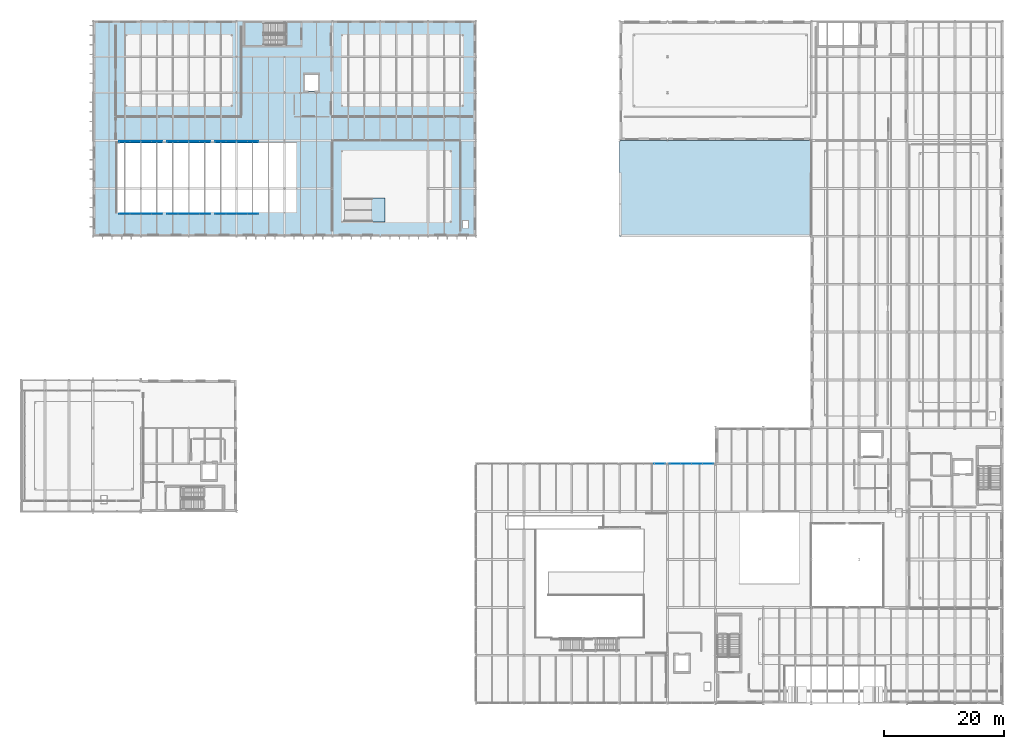
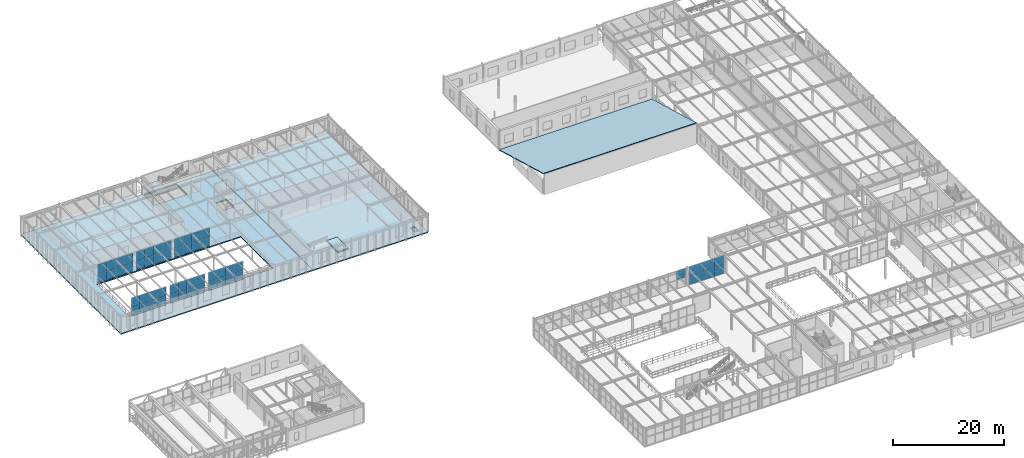
# One storey, part 71 of 124: 57 plates, 5 slabs, 11 elements without a shape of their own.
"""IFC4 building model written with IfcOpenShell, lengths in metres."""

from ifc_helpers import new_model, si_unit, direction, frame, origin, origin_2d, place, context, subcontext, project, spatial, polyline, rectangle, outline, extrude, material, layer, layer_set, type_object, element, aggregate, save


model = new_model("IFC4")

# Units and contexts
model_context = context("Model", 3, precision=1e-05, world=origin(), true_north=direction((0.0, 1.0)))
body_context = subcontext(model_context, "Body", "Model", "MODEL_VIEW")
ifc_project = project(units=[si_unit("LENGTHUNIT", "METRE"), si_unit("AREAUNIT", "SQUARE_METRE"), si_unit("VOLUMEUNIT", "CUBIC_METRE"), si_unit("PLANEANGLEUNIT", "RADIAN"), si_unit("MASSUNIT", "GRAM", prefix="KILO")], contexts=[model_context])

# Site, building, storey
site_placement = place(None, origin())
site = spatial("IfcSite", under=ifc_project, at=site_placement, CompositionType="ELEMENT")
building_placement = place(site_placement, origin())
building = spatial("IfcBuilding", under=site, at=building_placement, Name="Sundkrona Museum", CompositionType="ELEMENT")
storey_placement = place(building_placement, frame((0.0, 0.0, 17.60009765625)))
storey = spatial("IfcBuildingStorey", under=building, at=storey_placement, Name="L03", CompositionType="ELEMENT", Elevation=17.60009765625)

# Curtain wall, plate
ifc_material_1 = material(Name="Unitised Aluminium-Steel and Ceramic-Clad Curtain Walling", Category="steel")
curtain_wall_type_1 = type_object("IfcCurtainWallType", Name="CW-AT-72x38", PredefinedType="NOTDEFINED", material=ifc_material_1)
curtain_wall_1_placement = place(storey_placement, origin())
curtain_wall_1 = element("IfcCurtainWall", 1, at=curtain_wall_1_placement, inside=storey, type_object=curtain_wall_type_1, Name="L03 Curtain Wall CW-L03-073", PredefinedType="NOTDEFINED")
ifc_material_2 = material(Name="Triple Low-E Vision Glazing 32 mm", Category="glass")
ifc_layer_1 = layer(ifc_material_2, 0.031982421875)
ifc_layer_set_1 = layer_set([ifc_layer_1], Name="Triple Low-E Vision Glazing 32 mm")
plate_type = type_object("IfcPlateType", Name="PN-GL-01", PredefinedType="CURTAIN_PANEL", material=ifc_layer_set_1)
plate_1_placement = place(storey_placement, frame((110.699951171875, 40.0, 1.9697265625), z_axis=(0.0, 0.0, 1.0), x_axis=(1.0, 0.0, 0.0)))
plate_1 = element("IfcPlate", 2, at=plate_1_placement, type_object=plate_type, Name="CW-L03-073 Panel 08", PredefinedType="CURTAIN_PANEL", context=body_context, shape_type="SweptSolid", body=[
    extrude(rectangle(XDim=1.800048828125, YDim=0.031982421875, at=origin_2d()), origin(), (0.0, 0.0, 1.0), 1.97412109375),
])
aggregate(curtain_wall_1, [plate_1])

# Curtain wall, plates
curtain_wall_2_placement = place(storey_placement, origin())
curtain_wall_2 = element("IfcCurtainWall", 3, at=curtain_wall_2_placement, inside=storey, type_object=curtain_wall_type_1, Name="L03 Curtain Wall CW-L03-074", PredefinedType="NOTDEFINED")
plate_2_placement = place(storey_placement, frame((113.300048828125, 40.0, -0.004150390625), z_axis=(0.0, 0.0, 1.0), x_axis=(1.0, 0.0, 0.0)))
plate_2 = element("IfcPlate", 4, at=plate_2_placement, type_object=plate_type, Name="CW-L03-074 Panel 01", PredefinedType="CURTAIN_PANEL", context=body_context, shape_type="SweptSolid", body=[
    extrude(rectangle(XDim=1.800048828125, YDim=0.031982421875, at=origin_2d()), origin(), (0.0, 0.0, 1.0), 1.97412109375),
])
plate_3_placement = place(storey_placement, frame((113.300048828125, 40.0, 1.9697265625), z_axis=(0.0, 0.0, 1.0), x_axis=(1.0, 0.0, 0.0)))
plate_3 = element("IfcPlate", 5, at=plate_3_placement, type_object=plate_type, Name="CW-L03-074 Panel 02", PredefinedType="CURTAIN_PANEL", context=body_context, shape_type="SweptSolid", body=[
    extrude(rectangle(XDim=1.800048828125, YDim=0.031982421875, at=origin_2d()), origin(), (0.0, 0.0, 1.0), 1.97412109375),
])
plate_4_placement = place(storey_placement, frame((115.10009765625, 40.0, -0.004150390625), z_axis=(0.0, 0.0, 1.0), x_axis=(1.0, 0.0, 0.0)))
plate_4 = element("IfcPlate", 6, at=plate_4_placement, type_object=plate_type, Name="CW-L03-074 Panel 03", PredefinedType="CURTAIN_PANEL", context=body_context, shape_type="SweptSolid", body=[
    extrude(rectangle(XDim=1.800048828125, YDim=0.031982421875, at=origin_2d()), origin(), (0.0, 0.0, 1.0), 1.97412109375),
])
plate_5_placement = place(storey_placement, frame((115.10009765625, 40.0, 1.9697265625), z_axis=(0.0, 0.0, 1.0), x_axis=(1.0, 0.0, 0.0)))
plate_5 = element("IfcPlate", 7, at=plate_5_placement, type_object=plate_type, Name="CW-L03-074 Panel 04", PredefinedType="CURTAIN_PANEL", context=body_context, shape_type="SweptSolid", body=[
    extrude(rectangle(XDim=1.800048828125, YDim=0.031982421875, at=origin_2d()), origin(), (0.0, 0.0, 1.0), 1.97412109375),
])
plate_6_placement = place(storey_placement, frame((116.89990234375, 40.0, -0.004150390625), z_axis=(0.0, 0.0, 1.0), x_axis=(1.0, 0.0, 0.0)))
plate_6 = element("IfcPlate", 8, at=plate_6_placement, type_object=plate_type, Name="CW-L03-074 Panel 05", PredefinedType="CURTAIN_PANEL", context=body_context, shape_type="SweptSolid", body=[
    extrude(rectangle(XDim=1.800048828125, YDim=0.031982421875, at=origin_2d()), origin(), (0.0, 0.0, 1.0), 1.97412109375),
])
plate_7_placement = place(storey_placement, frame((116.89990234375, 40.0, 1.9697265625), z_axis=(0.0, 0.0, 1.0), x_axis=(1.0, 0.0, 0.0)))
plate_7 = element("IfcPlate", 9, at=plate_7_placement, type_object=plate_type, Name="CW-L03-074 Panel 06", PredefinedType="CURTAIN_PANEL", context=body_context, shape_type="SweptSolid", body=[
    extrude(rectangle(XDim=1.800048828125, YDim=0.031982421875, at=origin_2d()), origin(), (0.0, 0.0, 1.0), 1.97412109375),
])
plate_8_placement = place(storey_placement, frame((118.699951171875, 40.0, -0.004150390625), z_axis=(0.0, 0.0, 1.0), x_axis=(1.0, 0.0, 0.0)))
plate_8 = element("IfcPlate", 10, at=plate_8_placement, type_object=plate_type, Name="CW-L03-074 Panel 07", PredefinedType="CURTAIN_PANEL", context=body_context, shape_type="SweptSolid", body=[
    extrude(rectangle(XDim=1.800048828125, YDim=0.031982421875, at=origin_2d()), origin(), (0.0, 0.0, 1.0), 1.97412109375),
])
plate_9_placement = place(storey_placement, frame((118.699951171875, 40.0, 1.9697265625), z_axis=(0.0, 0.0, 1.0), x_axis=(1.0, 0.0, 0.0)))
plate_9 = element("IfcPlate", 11, at=plate_9_placement, type_object=plate_type, Name="CW-L03-074 Panel 08", PredefinedType="CURTAIN_PANEL", context=body_context, shape_type="SweptSolid", body=[
    extrude(rectangle(XDim=1.800048828125, YDim=0.031982421875, at=origin_2d()), origin(), (0.0, 0.0, 1.0), 1.97412109375),
])
aggregate(curtain_wall_2, [plate_2, plate_3, plate_4, plate_5, plate_6, plate_7, plate_8, plate_9])

curtain_wall_type_2 = type_object("IfcCurtainWallType", Name="CW-CL-64x38", PredefinedType="NOTDEFINED", material=ifc_material_1)
curtain_wall_3_placement = place(storey_placement, origin())
curtain_wall_3 = element("IfcCurtainWall", 12, at=curtain_wall_3_placement, inside=storey, type_object=curtain_wall_type_2, Name="L03 Curtain Wall CW-L03-136", PredefinedType="NOTDEFINED")
plate_10_placement = place(storey_placement, frame((21.300048828125, 81.75, -0.004150390625), z_axis=(0.0, 0.0, 1.0), x_axis=(1.0, 0.0, 0.0)))
plate_10 = element("IfcPlate", 13, at=plate_10_placement, type_object=plate_type, Name="CW-L03-136 Panel 01", PredefinedType="CURTAIN_PANEL", context=body_context, shape_type="SweptSolid", body=[
    extrude(rectangle(XDim=1.800048828125, YDim=0.031982421875, at=origin_2d()), origin(), (0.0, 0.0, 1.0), 1.98388671875),
])
plate_11_placement = place(storey_placement, frame((21.300048828125, 81.75, 1.97998046875), z_axis=(0.0, 0.0, 1.0), x_axis=(1.0, 0.0, 0.0)))
plate_11 = element("IfcPlate", 14, at=plate_11_placement, type_object=plate_type, Name="CW-L03-136 Panel 02", PredefinedType="CURTAIN_PANEL", context=body_context, shape_type="SweptSolid", body=[
    extrude(rectangle(XDim=1.800048828125, YDim=0.031982421875, at=origin_2d()), origin(), (0.0, 0.0, 1.0), 1.98388671875),
])
plate_12_placement = place(storey_placement, frame((23.10009765625, 81.75, -0.004150390625), z_axis=(0.0, 0.0, 1.0), x_axis=(1.0, 0.0, 0.0)))
plate_12 = element("IfcPlate", 15, at=plate_12_placement, type_object=plate_type, Name="CW-L03-136 Panel 03", PredefinedType="CURTAIN_PANEL", context=body_context, shape_type="SweptSolid", body=[
    extrude(rectangle(XDim=1.800048828125, YDim=0.031982421875, at=origin_2d()), origin(), (0.0, 0.0, 1.0), 1.98388671875),
])
plate_13_placement = place(storey_placement, frame((23.10009765625, 81.75, 1.97998046875), z_axis=(0.0, 0.0, 1.0), x_axis=(1.0, 0.0, 0.0)))
plate_13 = element("IfcPlate", 16, at=plate_13_placement, type_object=plate_type, Name="CW-L03-136 Panel 04", PredefinedType="CURTAIN_PANEL", context=body_context, shape_type="SweptSolid", body=[
    extrude(rectangle(XDim=1.800048828125, YDim=0.031982421875, at=origin_2d()), origin(), (0.0, 0.0, 1.0), 1.98388671875),
])
plate_14_placement = place(storey_placement, frame((24.89990234375, 81.75, -0.004150390625), z_axis=(0.0, 0.0, 1.0), x_axis=(1.0, 0.0, 0.0)))
plate_14 = element("IfcPlate", 17, at=plate_14_placement, type_object=plate_type, Name="CW-L03-136 Panel 05", PredefinedType="CURTAIN_PANEL", context=body_context, shape_type="SweptSolid", body=[
    extrude(rectangle(XDim=1.800048828125, YDim=0.031982421875, at=origin_2d()), origin(), (0.0, 0.0, 1.0), 1.98388671875),
])
plate_15_placement = place(storey_placement, frame((24.89990234375, 81.75, 1.97998046875), z_axis=(0.0, 0.0, 1.0), x_axis=(1.0, 0.0, 0.0)))
plate_15 = element("IfcPlate", 18, at=plate_15_placement, type_object=plate_type, Name="CW-L03-136 Panel 06", PredefinedType="CURTAIN_PANEL", context=body_context, shape_type="SweptSolid", body=[
    extrude(rectangle(XDim=1.800048828125, YDim=0.031982421875, at=origin_2d()), origin(), (0.0, 0.0, 1.0), 1.98388671875),
])
plate_16_placement = place(storey_placement, frame((26.699951171875, 81.75, -0.004150390625), z_axis=(0.0, 0.0, 1.0), x_axis=(1.0, 0.0, 0.0)))
plate_16 = element("IfcPlate", 19, at=plate_16_placement, type_object=plate_type, Name="CW-L03-136 Panel 07", PredefinedType="CURTAIN_PANEL", context=body_context, shape_type="SweptSolid", body=[
    extrude(rectangle(XDim=1.800048828125, YDim=0.031982421875, at=origin_2d()), origin(), (0.0, 0.0, 1.0), 1.98388671875),
])
plate_17_placement = place(storey_placement, frame((26.699951171875, 81.75, 1.97998046875), z_axis=(0.0, 0.0, 1.0), x_axis=(1.0, 0.0, 0.0)))
plate_17 = element("IfcPlate", 20, at=plate_17_placement, type_object=plate_type, Name="CW-L03-136 Panel 08", PredefinedType="CURTAIN_PANEL", context=body_context, shape_type="SweptSolid", body=[
    extrude(rectangle(XDim=1.800048828125, YDim=0.031982421875, at=origin_2d()), origin(), (0.0, 0.0, 1.0), 1.98388671875),
])
aggregate(curtain_wall_3, [plate_10, plate_11, plate_12, plate_13, plate_14, plate_15, plate_16, plate_17])

curtain_wall_4_placement = place(storey_placement, origin())
curtain_wall_4 = element("IfcCurtainWall", 21, at=curtain_wall_4_placement, inside=storey, type_object=curtain_wall_type_2, Name="L03 Curtain Wall CW-L03-137", PredefinedType="NOTDEFINED")
plate_18_placement = place(storey_placement, frame((21.300048828125, 93.85009765625, -0.004150390625), z_axis=(0.0, 0.0, 1.0), x_axis=(1.0, 0.0, 0.0)))
plate_18 = element("IfcPlate", 22, at=plate_18_placement, type_object=plate_type, Name="CW-L03-137 Panel 01", PredefinedType="CURTAIN_PANEL", context=body_context, shape_type="SweptSolid", body=[
    extrude(rectangle(XDim=1.800048828125, YDim=0.031982421875, at=origin_2d()), origin(), (0.0, 0.0, 1.0), 1.98388671875),
])
plate_19_placement = place(storey_placement, frame((21.300048828125, 93.85009765625, 1.97998046875), z_axis=(0.0, 0.0, 1.0), x_axis=(1.0, 0.0, 0.0)))
plate_19 = element("IfcPlate", 23, at=plate_19_placement, type_object=plate_type, Name="CW-L03-137 Panel 02", PredefinedType="CURTAIN_PANEL", context=body_context, shape_type="SweptSolid", body=[
    extrude(rectangle(XDim=1.800048828125, YDim=0.031982421875, at=origin_2d()), origin(), (0.0, 0.0, 1.0), 1.98388671875),
])
plate_20_placement = place(storey_placement, frame((23.10009765625, 93.85009765625, -0.004150390625), z_axis=(0.0, 0.0, 1.0), x_axis=(1.0, 0.0, 0.0)))
plate_20 = element("IfcPlate", 24, at=plate_20_placement, type_object=plate_type, Name="CW-L03-137 Panel 03", PredefinedType="CURTAIN_PANEL", context=body_context, shape_type="SweptSolid", body=[
    extrude(rectangle(XDim=1.800048828125, YDim=0.031982421875, at=origin_2d()), origin(), (0.0, 0.0, 1.0), 1.98388671875),
])
plate_21_placement = place(storey_placement, frame((23.10009765625, 93.85009765625, 1.97998046875), z_axis=(0.0, 0.0, 1.0), x_axis=(1.0, 0.0, 0.0)))
plate_21 = element("IfcPlate", 25, at=plate_21_placement, type_object=plate_type, Name="CW-L03-137 Panel 04", PredefinedType="CURTAIN_PANEL", context=body_context, shape_type="SweptSolid", body=[
    extrude(rectangle(XDim=1.800048828125, YDim=0.031982421875, at=origin_2d()), origin(), (0.0, 0.0, 1.0), 1.98388671875),
])
plate_22_placement = place(storey_placement, frame((24.89990234375, 93.85009765625, -0.004150390625), z_axis=(0.0, 0.0, 1.0), x_axis=(1.0, 0.0, 0.0)))
plate_22 = element("IfcPlate", 26, at=plate_22_placement, type_object=plate_type, Name="CW-L03-137 Panel 05", PredefinedType="CURTAIN_PANEL", context=body_context, shape_type="SweptSolid", body=[
    extrude(rectangle(XDim=1.800048828125, YDim=0.031982421875, at=origin_2d()), origin(), (0.0, 0.0, 1.0), 1.98388671875),
])
plate_23_placement = place(storey_placement, frame((24.89990234375, 93.85009765625, 1.97998046875), z_axis=(0.0, 0.0, 1.0), x_axis=(1.0, 0.0, 0.0)))
plate_23 = element("IfcPlate", 27, at=plate_23_placement, type_object=plate_type, Name="CW-L03-137 Panel 06", PredefinedType="CURTAIN_PANEL", context=body_context, shape_type="SweptSolid", body=[
    extrude(rectangle(XDim=1.800048828125, YDim=0.031982421875, at=origin_2d()), origin(), (0.0, 0.0, 1.0), 1.98388671875),
])
plate_24_placement = place(storey_placement, frame((26.699951171875, 93.85009765625, -0.004150390625), z_axis=(0.0, 0.0, 1.0), x_axis=(1.0, 0.0, 0.0)))
plate_24 = element("IfcPlate", 28, at=plate_24_placement, type_object=plate_type, Name="CW-L03-137 Panel 07", PredefinedType="CURTAIN_PANEL", context=body_context, shape_type="SweptSolid", body=[
    extrude(rectangle(XDim=1.800048828125, YDim=0.031982421875, at=origin_2d()), origin(), (0.0, 0.0, 1.0), 1.98388671875),
])
plate_25_placement = place(storey_placement, frame((26.699951171875, 93.85009765625, 1.97998046875), z_axis=(0.0, 0.0, 1.0), x_axis=(1.0, 0.0, 0.0)))
plate_25 = element("IfcPlate", 29, at=plate_25_placement, type_object=plate_type, Name="CW-L03-137 Panel 08", PredefinedType="CURTAIN_PANEL", context=body_context, shape_type="SweptSolid", body=[
    extrude(rectangle(XDim=1.800048828125, YDim=0.031982421875, at=origin_2d()), origin(), (0.0, 0.0, 1.0), 1.98388671875),
])
aggregate(curtain_wall_4, [plate_18, plate_19, plate_20, plate_21, plate_22, plate_23, plate_24, plate_25])

curtain_wall_5_placement = place(storey_placement, origin())
curtain_wall_5 = element("IfcCurtainWall", 30, at=curtain_wall_5_placement, inside=storey, type_object=curtain_wall_type_2, Name="L03 Curtain Wall CW-L03-138", PredefinedType="NOTDEFINED")
plate_26_placement = place(storey_placement, frame((29.300048828125, 81.75, -0.004150390625), z_axis=(0.0, 0.0, 1.0), x_axis=(1.0, 0.0, 0.0)))
plate_26 = element("IfcPlate", 31, at=plate_26_placement, type_object=plate_type, Name="CW-L03-138 Panel 01", PredefinedType="CURTAIN_PANEL", context=body_context, shape_type="SweptSolid", body=[
    extrude(rectangle(XDim=1.800048828125, YDim=0.031982421875, at=origin_2d()), origin(), (0.0, 0.0, 1.0), 1.98388671875),
])
plate_27_placement = place(storey_placement, frame((29.300048828125, 81.75, 1.97998046875), z_axis=(0.0, 0.0, 1.0), x_axis=(1.0, 0.0, 0.0)))
plate_27 = element("IfcPlate", 32, at=plate_27_placement, type_object=plate_type, Name="CW-L03-138 Panel 02", PredefinedType="CURTAIN_PANEL", context=body_context, shape_type="SweptSolid", body=[
    extrude(rectangle(XDim=1.800048828125, YDim=0.031982421875, at=origin_2d()), origin(), (0.0, 0.0, 1.0), 1.98388671875),
])
plate_28_placement = place(storey_placement, frame((31.10009765625, 81.75, -0.004150390625), z_axis=(0.0, 0.0, 1.0), x_axis=(1.0, 0.0, 0.0)))
plate_28 = element("IfcPlate", 33, at=plate_28_placement, type_object=plate_type, Name="CW-L03-138 Panel 03", PredefinedType="CURTAIN_PANEL", context=body_context, shape_type="SweptSolid", body=[
    extrude(rectangle(XDim=1.800048828125, YDim=0.031982421875, at=origin_2d()), origin(), (0.0, 0.0, 1.0), 1.98388671875),
])
plate_29_placement = place(storey_placement, frame((31.10009765625, 81.75, 1.97998046875), z_axis=(0.0, 0.0, 1.0), x_axis=(1.0, 0.0, 0.0)))
plate_29 = element("IfcPlate", 34, at=plate_29_placement, type_object=plate_type, Name="CW-L03-138 Panel 04", PredefinedType="CURTAIN_PANEL", context=body_context, shape_type="SweptSolid", body=[
    extrude(rectangle(XDim=1.800048828125, YDim=0.031982421875, at=origin_2d()), origin(), (0.0, 0.0, 1.0), 1.98388671875),
])
plate_30_placement = place(storey_placement, frame((32.89990234375, 81.75, -0.004150390625), z_axis=(0.0, 0.0, 1.0), x_axis=(1.0, 0.0, 0.0)))
plate_30 = element("IfcPlate", 35, at=plate_30_placement, type_object=plate_type, Name="CW-L03-138 Panel 05", PredefinedType="CURTAIN_PANEL", context=body_context, shape_type="SweptSolid", body=[
    extrude(rectangle(XDim=1.800048828125, YDim=0.031982421875, at=origin_2d()), origin(), (0.0, 0.0, 1.0), 1.98388671875),
])
plate_31_placement = place(storey_placement, frame((32.89990234375, 81.75, 1.97998046875), z_axis=(0.0, 0.0, 1.0), x_axis=(1.0, 0.0, 0.0)))
plate_31 = element("IfcPlate", 36, at=plate_31_placement, type_object=plate_type, Name="CW-L03-138 Panel 06", PredefinedType="CURTAIN_PANEL", context=body_context, shape_type="SweptSolid", body=[
    extrude(rectangle(XDim=1.800048828125, YDim=0.031982421875, at=origin_2d()), origin(), (0.0, 0.0, 1.0), 1.98388671875),
])
plate_32_placement = place(storey_placement, frame((34.699951171875, 81.75, -0.004150390625), z_axis=(0.0, 0.0, 1.0), x_axis=(1.0, 0.0, 0.0)))
plate_32 = element("IfcPlate", 37, at=plate_32_placement, type_object=plate_type, Name="CW-L03-138 Panel 07", PredefinedType="CURTAIN_PANEL", context=body_context, shape_type="SweptSolid", body=[
    extrude(rectangle(XDim=1.800048828125, YDim=0.031982421875, at=origin_2d()), origin(), (0.0, 0.0, 1.0), 1.98388671875),
])
plate_33_placement = place(storey_placement, frame((34.699951171875, 81.75, 1.97998046875), z_axis=(0.0, 0.0, 1.0), x_axis=(1.0, 0.0, 0.0)))
plate_33 = element("IfcPlate", 38, at=plate_33_placement, type_object=plate_type, Name="CW-L03-138 Panel 08", PredefinedType="CURTAIN_PANEL", context=body_context, shape_type="SweptSolid", body=[
    extrude(rectangle(XDim=1.800048828125, YDim=0.031982421875, at=origin_2d()), origin(), (0.0, 0.0, 1.0), 1.98388671875),
])
aggregate(curtain_wall_5, [plate_26, plate_27, plate_28, plate_29, plate_30, plate_31, plate_32, plate_33])

curtain_wall_6_placement = place(storey_placement, origin())
curtain_wall_6 = element("IfcCurtainWall", 39, at=curtain_wall_6_placement, inside=storey, type_object=curtain_wall_type_2, Name="L03 Curtain Wall CW-L03-139", PredefinedType="NOTDEFINED")
plate_34_placement = place(storey_placement, frame((29.300048828125, 93.85009765625, -0.004150390625), z_axis=(0.0, 0.0, 1.0), x_axis=(1.0, 0.0, 0.0)))
plate_34 = element("IfcPlate", 40, at=plate_34_placement, type_object=plate_type, Name="CW-L03-139 Panel 01", PredefinedType="CURTAIN_PANEL", context=body_context, shape_type="SweptSolid", body=[
    extrude(rectangle(XDim=1.800048828125, YDim=0.031982421875, at=origin_2d()), origin(), (0.0, 0.0, 1.0), 1.98388671875),
])
plate_35_placement = place(storey_placement, frame((29.300048828125, 93.85009765625, 1.97998046875), z_axis=(0.0, 0.0, 1.0), x_axis=(1.0, 0.0, 0.0)))
plate_35 = element("IfcPlate", 41, at=plate_35_placement, type_object=plate_type, Name="CW-L03-139 Panel 02", PredefinedType="CURTAIN_PANEL", context=body_context, shape_type="SweptSolid", body=[
    extrude(rectangle(XDim=1.800048828125, YDim=0.031982421875, at=origin_2d()), origin(), (0.0, 0.0, 1.0), 1.98388671875),
])
plate_36_placement = place(storey_placement, frame((31.10009765625, 93.85009765625, -0.004150390625), z_axis=(0.0, 0.0, 1.0), x_axis=(1.0, 0.0, 0.0)))
plate_36 = element("IfcPlate", 42, at=plate_36_placement, type_object=plate_type, Name="CW-L03-139 Panel 03", PredefinedType="CURTAIN_PANEL", context=body_context, shape_type="SweptSolid", body=[
    extrude(rectangle(XDim=1.800048828125, YDim=0.031982421875, at=origin_2d()), origin(), (0.0, 0.0, 1.0), 1.98388671875),
])
plate_37_placement = place(storey_placement, frame((31.10009765625, 93.85009765625, 1.97998046875), z_axis=(0.0, 0.0, 1.0), x_axis=(1.0, 0.0, 0.0)))
plate_37 = element("IfcPlate", 43, at=plate_37_placement, type_object=plate_type, Name="CW-L03-139 Panel 04", PredefinedType="CURTAIN_PANEL", context=body_context, shape_type="SweptSolid", body=[
    extrude(rectangle(XDim=1.800048828125, YDim=0.031982421875, at=origin_2d()), origin(), (0.0, 0.0, 1.0), 1.98388671875),
])
plate_38_placement = place(storey_placement, frame((32.89990234375, 93.85009765625, -0.004150390625), z_axis=(0.0, 0.0, 1.0), x_axis=(1.0, 0.0, 0.0)))
plate_38 = element("IfcPlate", 44, at=plate_38_placement, type_object=plate_type, Name="CW-L03-139 Panel 05", PredefinedType="CURTAIN_PANEL", context=body_context, shape_type="SweptSolid", body=[
    extrude(rectangle(XDim=1.800048828125, YDim=0.031982421875, at=origin_2d()), origin(), (0.0, 0.0, 1.0), 1.98388671875),
])
plate_39_placement = place(storey_placement, frame((32.89990234375, 93.85009765625, 1.97998046875), z_axis=(0.0, 0.0, 1.0), x_axis=(1.0, 0.0, 0.0)))
plate_39 = element("IfcPlate", 45, at=plate_39_placement, type_object=plate_type, Name="CW-L03-139 Panel 06", PredefinedType="CURTAIN_PANEL", context=body_context, shape_type="SweptSolid", body=[
    extrude(rectangle(XDim=1.800048828125, YDim=0.031982421875, at=origin_2d()), origin(), (0.0, 0.0, 1.0), 1.98388671875),
])
plate_40_placement = place(storey_placement, frame((34.699951171875, 93.85009765625, -0.004150390625), z_axis=(0.0, 0.0, 1.0), x_axis=(1.0, 0.0, 0.0)))
plate_40 = element("IfcPlate", 46, at=plate_40_placement, type_object=plate_type, Name="CW-L03-139 Panel 07", PredefinedType="CURTAIN_PANEL", context=body_context, shape_type="SweptSolid", body=[
    extrude(rectangle(XDim=1.800048828125, YDim=0.031982421875, at=origin_2d()), origin(), (0.0, 0.0, 1.0), 1.98388671875),
])
plate_41_placement = place(storey_placement, frame((34.699951171875, 93.85009765625, 1.97998046875), z_axis=(0.0, 0.0, 1.0), x_axis=(1.0, 0.0, 0.0)))
plate_41 = element("IfcPlate", 47, at=plate_41_placement, type_object=plate_type, Name="CW-L03-139 Panel 08", PredefinedType="CURTAIN_PANEL", context=body_context, shape_type="SweptSolid", body=[
    extrude(rectangle(XDim=1.800048828125, YDim=0.031982421875, at=origin_2d()), origin(), (0.0, 0.0, 1.0), 1.98388671875),
])
aggregate(curtain_wall_6, [plate_34, plate_35, plate_36, plate_37, plate_38, plate_39, plate_40, plate_41])

curtain_wall_7_placement = place(storey_placement, origin())
curtain_wall_7 = element("IfcCurtainWall", 48, at=curtain_wall_7_placement, inside=storey, type_object=curtain_wall_type_2, Name="L03 Curtain Wall CW-L03-140", PredefinedType="NOTDEFINED")
plate_42_placement = place(storey_placement, frame((37.300048828125, 81.75, -0.004150390625), z_axis=(0.0, 0.0, 1.0), x_axis=(1.0, 0.0, 0.0)))
plate_42 = element("IfcPlate", 49, at=plate_42_placement, type_object=plate_type, Name="CW-L03-140 Panel 01", PredefinedType="CURTAIN_PANEL", context=body_context, shape_type="SweptSolid", body=[
    extrude(rectangle(XDim=1.800048828125, YDim=0.031982421875, at=origin_2d()), origin(), (0.0, 0.0, 1.0), 1.98388671875),
])
plate_43_placement = place(storey_placement, frame((37.300048828125, 81.75, 1.97998046875), z_axis=(0.0, 0.0, 1.0), x_axis=(1.0, 0.0, 0.0)))
plate_43 = element("IfcPlate", 50, at=plate_43_placement, type_object=plate_type, Name="CW-L03-140 Panel 02", PredefinedType="CURTAIN_PANEL", context=body_context, shape_type="SweptSolid", body=[
    extrude(rectangle(XDim=1.800048828125, YDim=0.031982421875, at=origin_2d()), origin(), (0.0, 0.0, 1.0), 1.98388671875),
])
plate_44_placement = place(storey_placement, frame((39.10009765625, 81.75, -0.004150390625), z_axis=(0.0, 0.0, 1.0), x_axis=(1.0, 0.0, 0.0)))
plate_44 = element("IfcPlate", 51, at=plate_44_placement, type_object=plate_type, Name="CW-L03-140 Panel 03", PredefinedType="CURTAIN_PANEL", context=body_context, shape_type="SweptSolid", body=[
    extrude(rectangle(XDim=1.800048828125, YDim=0.031982421875, at=origin_2d()), origin(), (0.0, 0.0, 1.0), 1.98388671875),
])
plate_45_placement = place(storey_placement, frame((39.10009765625, 81.75, 1.97998046875), z_axis=(0.0, 0.0, 1.0), x_axis=(1.0, 0.0, 0.0)))
plate_45 = element("IfcPlate", 52, at=plate_45_placement, type_object=plate_type, Name="CW-L03-140 Panel 04", PredefinedType="CURTAIN_PANEL", context=body_context, shape_type="SweptSolid", body=[
    extrude(rectangle(XDim=1.800048828125, YDim=0.031982421875, at=origin_2d()), origin(), (0.0, 0.0, 1.0), 1.98388671875),
])
plate_46_placement = place(storey_placement, frame((40.89990234375, 81.75, -0.004150390625), z_axis=(0.0, 0.0, 1.0), x_axis=(1.0, 0.0, 0.0)))
plate_46 = element("IfcPlate", 53, at=plate_46_placement, type_object=plate_type, Name="CW-L03-140 Panel 05", PredefinedType="CURTAIN_PANEL", context=body_context, shape_type="SweptSolid", body=[
    extrude(rectangle(XDim=1.800048828125, YDim=0.031982421875, at=origin_2d()), origin(), (0.0, 0.0, 1.0), 1.98388671875),
])
plate_47_placement = place(storey_placement, frame((40.89990234375, 81.75, 1.97998046875), z_axis=(0.0, 0.0, 1.0), x_axis=(1.0, 0.0, 0.0)))
plate_47 = element("IfcPlate", 54, at=plate_47_placement, type_object=plate_type, Name="CW-L03-140 Panel 06", PredefinedType="CURTAIN_PANEL", context=body_context, shape_type="SweptSolid", body=[
    extrude(rectangle(XDim=1.800048828125, YDim=0.031982421875, at=origin_2d()), origin(), (0.0, 0.0, 1.0), 1.98388671875),
])
plate_48_placement = place(storey_placement, frame((42.699951171875, 81.75, -0.004150390625), z_axis=(0.0, 0.0, 1.0), x_axis=(1.0, 0.0, 0.0)))
plate_48 = element("IfcPlate", 55, at=plate_48_placement, type_object=plate_type, Name="CW-L03-140 Panel 07", PredefinedType="CURTAIN_PANEL", context=body_context, shape_type="SweptSolid", body=[
    extrude(rectangle(XDim=1.800048828125, YDim=0.031982421875, at=origin_2d()), origin(), (0.0, 0.0, 1.0), 1.98388671875),
])
plate_49_placement = place(storey_placement, frame((42.699951171875, 81.75, 1.97998046875), z_axis=(0.0, 0.0, 1.0), x_axis=(1.0, 0.0, 0.0)))
plate_49 = element("IfcPlate", 56, at=plate_49_placement, type_object=plate_type, Name="CW-L03-140 Panel 08", PredefinedType="CURTAIN_PANEL", context=body_context, shape_type="SweptSolid", body=[
    extrude(rectangle(XDim=1.800048828125, YDim=0.031982421875, at=origin_2d()), origin(), (0.0, 0.0, 1.0), 1.98388671875),
])
aggregate(curtain_wall_7, [plate_42, plate_43, plate_44, plate_45, plate_46, plate_47, plate_48, plate_49])

curtain_wall_8_placement = place(storey_placement, origin())
curtain_wall_8 = element("IfcCurtainWall", 57, at=curtain_wall_8_placement, inside=storey, type_object=curtain_wall_type_2, Name="L03 Curtain Wall CW-L03-141", PredefinedType="NOTDEFINED")
plate_50_placement = place(storey_placement, frame((37.300048828125, 93.85009765625, -0.004150390625), z_axis=(0.0, 0.0, 1.0), x_axis=(1.0, 0.0, 0.0)))
plate_50 = element("IfcPlate", 58, at=plate_50_placement, type_object=plate_type, Name="CW-L03-141 Panel 01", PredefinedType="CURTAIN_PANEL", context=body_context, shape_type="SweptSolid", body=[
    extrude(rectangle(XDim=1.800048828125, YDim=0.031982421875, at=origin_2d()), origin(), (0.0, 0.0, 1.0), 1.98388671875),
])
plate_51_placement = place(storey_placement, frame((37.300048828125, 93.85009765625, 1.97998046875), z_axis=(0.0, 0.0, 1.0), x_axis=(1.0, 0.0, 0.0)))
plate_51 = element("IfcPlate", 59, at=plate_51_placement, type_object=plate_type, Name="CW-L03-141 Panel 02", PredefinedType="CURTAIN_PANEL", context=body_context, shape_type="SweptSolid", body=[
    extrude(rectangle(XDim=1.800048828125, YDim=0.031982421875, at=origin_2d()), origin(), (0.0, 0.0, 1.0), 1.98388671875),
])
plate_52_placement = place(storey_placement, frame((39.10009765625, 93.85009765625, -0.004150390625), z_axis=(0.0, 0.0, 1.0), x_axis=(1.0, 0.0, 0.0)))
plate_52 = element("IfcPlate", 60, at=plate_52_placement, type_object=plate_type, Name="CW-L03-141 Panel 03", PredefinedType="CURTAIN_PANEL", context=body_context, shape_type="SweptSolid", body=[
    extrude(rectangle(XDim=1.800048828125, YDim=0.031982421875, at=origin_2d()), origin(), (0.0, 0.0, 1.0), 1.98388671875),
])
plate_53_placement = place(storey_placement, frame((39.10009765625, 93.85009765625, 1.97998046875), z_axis=(0.0, 0.0, 1.0), x_axis=(1.0, 0.0, 0.0)))
plate_53 = element("IfcPlate", 61, at=plate_53_placement, type_object=plate_type, Name="CW-L03-141 Panel 04", PredefinedType="CURTAIN_PANEL", context=body_context, shape_type="SweptSolid", body=[
    extrude(rectangle(XDim=1.800048828125, YDim=0.031982421875, at=origin_2d()), origin(), (0.0, 0.0, 1.0), 1.98388671875),
])
plate_54_placement = place(storey_placement, frame((40.89990234375, 93.85009765625, -0.004150390625), z_axis=(0.0, 0.0, 1.0), x_axis=(1.0, 0.0, 0.0)))
plate_54 = element("IfcPlate", 62, at=plate_54_placement, type_object=plate_type, Name="CW-L03-141 Panel 05", PredefinedType="CURTAIN_PANEL", context=body_context, shape_type="SweptSolid", body=[
    extrude(rectangle(XDim=1.800048828125, YDim=0.031982421875, at=origin_2d()), origin(), (0.0, 0.0, 1.0), 1.98388671875),
])
plate_55_placement = place(storey_placement, frame((40.89990234375, 93.85009765625, 1.97998046875), z_axis=(0.0, 0.0, 1.0), x_axis=(1.0, 0.0, 0.0)))
plate_55 = element("IfcPlate", 63, at=plate_55_placement, type_object=plate_type, Name="CW-L03-141 Panel 06", PredefinedType="CURTAIN_PANEL", context=body_context, shape_type="SweptSolid", body=[
    extrude(rectangle(XDim=1.800048828125, YDim=0.031982421875, at=origin_2d()), origin(), (0.0, 0.0, 1.0), 1.98388671875),
])
plate_56_placement = place(storey_placement, frame((42.699951171875, 93.85009765625, -0.004150390625), z_axis=(0.0, 0.0, 1.0), x_axis=(1.0, 0.0, 0.0)))
plate_56 = element("IfcPlate", 64, at=plate_56_placement, type_object=plate_type, Name="CW-L03-141 Panel 07", PredefinedType="CURTAIN_PANEL", context=body_context, shape_type="SweptSolid", body=[
    extrude(rectangle(XDim=1.800048828125, YDim=0.031982421875, at=origin_2d()), origin(), (0.0, 0.0, 1.0), 1.98388671875),
])
plate_57_placement = place(storey_placement, frame((42.699951171875, 93.85009765625, 1.97998046875), z_axis=(0.0, 0.0, 1.0), x_axis=(1.0, 0.0, 0.0)))
plate_57 = element("IfcPlate", 65, at=plate_57_placement, type_object=plate_type, Name="CW-L03-141 Panel 08", PredefinedType="CURTAIN_PANEL", context=body_context, shape_type="SweptSolid", body=[
    extrude(rectangle(XDim=1.800048828125, YDim=0.031982421875, at=origin_2d()), origin(), (0.0, 0.0, 1.0), 1.98388671875),
])
aggregate(curtain_wall_8, [plate_50, plate_51, plate_52, plate_53, plate_54, plate_55, plate_56, plate_57])

# Slabs
ifc_material_3 = material(Name="Concrete C35/45", Category="concrete")
ifc_layer_2 = layer(ifc_material_3, 0.239990234375)
ifc_layer_set_2 = layer_set([ifc_layer_2], Name="Concrete C35/45")
slab_type_1 = type_object("IfcSlabType", Name="SL-FL-240", PredefinedType="FLOOR", material=ifc_layer_set_2)
slab_1_placement = place(storey_placement, frame((0.0, 0.0, -0.239990234375)))
element("IfcSlab", 66, at=slab_1_placement, inside=storey, type_object=slab_type_1, Name="L03 Standard composite gallery floor slab 240 mm (SL-L03-V3W)", PredefinedType="FLOOR", context=body_context, shape_type="SweptSolid", body=[
    extrude(outline(polyline([(16.0, 78.0), (56.0, 78.0), (56.0, 114.0), (16.0, 114.0), (16.0, 78.0)]), holes=[polyline([(53.60009765625, 102.300048828125), (51.39990234375, 102.300048828125), (51.39990234375, 105.0), (53.60009765625, 105.0), (53.60009765625, 102.300048828125)]), polyline([(20.0, 93.60009765625), (50.0, 93.60009765625), (50.0, 82.0), (20.0, 82.0), (20.0, 93.60009765625)]), polyline([(41.324951171875, 113.675048828125), (48.27490234375, 113.675048828125), (48.27490234375, 109.925048828125), (41.324951171875, 109.925048828125), (41.324951171875, 113.675048828125)])]), origin(), (0.0, 0.0, 1.0), 0.239990234375),
])
slab_2_placement = place(storey_placement, frame((0.0, 0.0, -0.239990234375)))
element("IfcSlab", 67, at=slab_2_placement, inside=storey, type_object=slab_type_1, Name="L03 Standard composite gallery floor slab 240 mm (SL-L03-V3E)", PredefinedType="FLOOR", context=body_context, shape_type="SweptSolid", body=[
    extrude(outline(polyline([(56.0, 78.0), (80.0, 78.0), (80.0, 114.0), (56.0, 114.0), (56.0, 78.0)]), holes=[polyline([(78.699951171875, 79.39990234375), (77.800048828125, 79.39990234375), (77.800048828125, 80.60009765625), (78.699951171875, 80.60009765625), (78.699951171875, 79.39990234375)])]), origin(), (0.0, 0.0, 1.0), 0.239990234375),
])

# Stair, slab
stair_type = type_object("IfcStairType", Name="ST-DL-420", PredefinedType="HALF_TURN_STAIR", material=ifc_material_3)
stair_placement = place(storey_placement, origin())
stair = element("IfcStair", 68, at=stair_placement, inside=storey, type_object=stair_type, Name="L03 Protected Stair Core ST-3", PredefinedType="HALF_TURN_STAIR")
ifc_layer_3 = layer(ifc_material_3, 0.219970703125)
ifc_layer_set_3 = layer_set([ifc_layer_3], Name="Concrete C35/45")
slab_type_2 = type_object("IfcSlabType", Name="SL-LN-220", PredefinedType="LANDING", material=ifc_layer_set_3)
slab_3_placement = place(storey_placement, frame((0.0, 0.0, 1.8798828125)))
slab_3 = element("IfcSlab", 69, at=slab_3_placement, type_object=slab_type_2, Name="L03 Protected Stair Core ST-3 Landing 1", PredefinedType="LANDING", context=body_context, shape_type="SweptSolid", body=[
    extrude(outline(polyline([(44.465087890625, 113.699951171875), (41.300048828125, 113.699951171875), (41.300048828125, 109.89990234375), (44.465087890625, 109.89990234375), (44.465087890625, 113.699951171875)])), origin(), (0.0, 0.0, 1.0), 0.219970703125),
])
aggregate(stair, [slab_3])

# Ramp, slab
ramp_type = type_object("IfcRampType", Name="RMP-ACC-180", PredefinedType="HALF_TURN_RAMP", material=ifc_material_3)
ramp_placement = place(storey_placement, origin())
ramp = element("IfcRamp", 70, at=ramp_placement, inside=storey, type_object=ramp_type, Name="L03 Accessible Gallery Dais Ramp RMP-06", PredefinedType="HALF_TURN_RAMP")
slab_4_placement = place(storey_placement, frame((0.0, 0.0, -0.02001953125)))
slab_4 = element("IfcSlab", 71, at=slab_4_placement, type_object=slab_type_2, Name="RMP-06 Accessible Dais Landing", PredefinedType="LANDING", context=body_context, shape_type="SweptSolid", body=[
    extrude(outline(polyline([(62.570068359375, 80.39990234375), (64.800048828125, 80.39990234375), (64.800048828125, 84.39990234375), (62.570068359375, 84.39990234375), (62.570068359375, 80.39990234375)])), origin(), (0.0, 0.0, 1.0), 0.2998046875),
])
aggregate(ramp, [slab_4])

# Roof, slab
ifc_material_4 = material(Name="Patinated Copper and Composite Steel-Concrete", Category="concrete")
ifc_layer_4 = layer(ifc_material_4, 0.179931640625)
ifc_layer_set_4 = layer_set([ifc_layer_4], Name="Patinated Copper and Composite Steel-Concrete")
roof_type = type_object("IfcRoofType", Name="ROOF-PAV", PredefinedType="PAVILION_ROOF", material=ifc_layer_set_4)
roof_placement = place(storey_placement, origin())
roof = element("IfcRoof", 72, at=roof_placement, inside=storey, type_object=roof_type, Name="Volume 5 Auditorium Folded Acoustic Copper Roof", PredefinedType="PAVILION_ROOF")
ifc_layer_5 = layer(ifc_material_3, 0.159912109375)
ifc_layer_set_5 = layer_set([ifc_layer_5], Name="Concrete C35/45")
slab_type_3 = type_object("IfcSlabType", Name="SL-RF-160", PredefinedType="ROOF", material=ifc_layer_set_5)
slab_5_placement = place(storey_placement, frame((104.0, 78.0, 4.417236328125), z_axis=(0.0, 0.268920093578, 0.963162490585), x_axis=(1.0, 0.0, 0.0)))
slab_5 = element("IfcSlab", 73, at=slab_5_placement, type_object=slab_type_3, Name="Auditorium Folded Acoustic Copper Roof", PredefinedType="ROOF", context=body_context, shape_type="SweptSolid", body=[
    extrude(outline(polyline([(0.0, 0.0), (31.85009765625, 0.0), (31.85009765625, 16.611942591619187), (0.0, 16.611942591619187), (0.0, 0.0)])), origin(), (0.0, 0.0, -1.0), 0.159912109375),
])
aggregate(roof, [slab_5])

save(model, "model.ifc")
